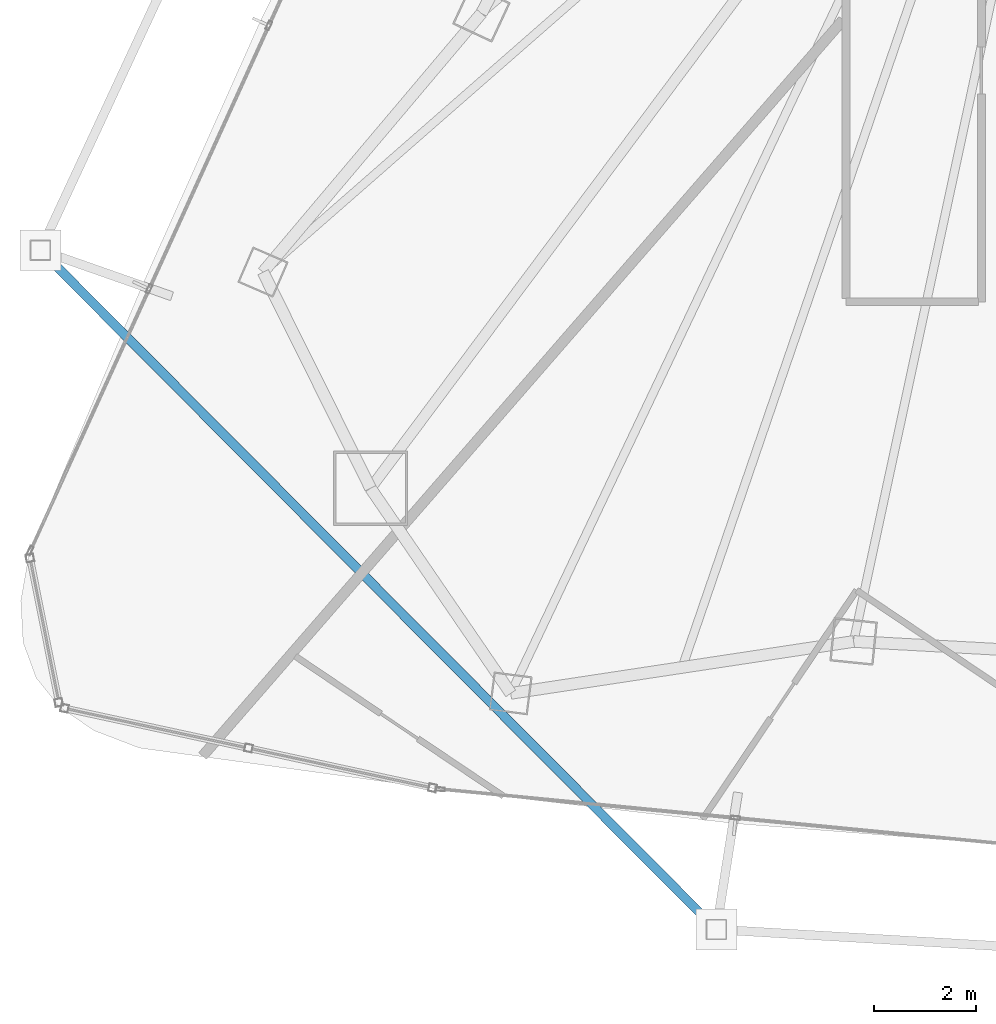
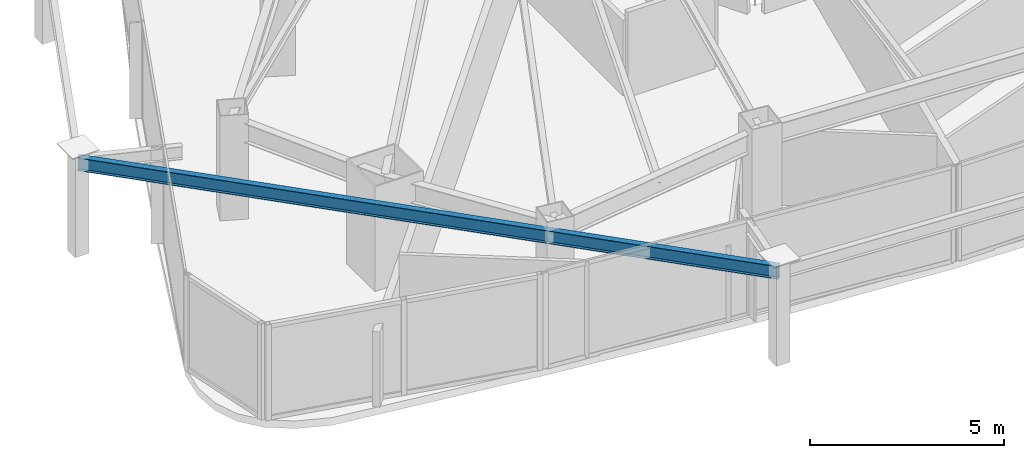
# One storey, part 3 of 30: 1 beam.
"""IFC4 building model written with IfcOpenShell, lengths in metres."""

from ifc_helpers import new_model, si_unit, direction, frame, origin, origin_2d, place, context, subcontext, project, spatial, i_section, extrude, material, material_profile, profile_set, type_object, element, save


model = new_model("IFC4")

# Units and contexts
model_context = context("Model", 3, precision=1e-05, world=origin(), true_north=direction((0.0, 1.0)))
body_context = subcontext(model_context, "Body", "Model", "MODEL_VIEW")
ifc_project = project(units=[si_unit("LENGTHUNIT", "METRE"), si_unit("AREAUNIT", "SQUARE_METRE"), si_unit("VOLUMEUNIT", "CUBIC_METRE"), si_unit("PLANEANGLEUNIT", "RADIAN"), si_unit("MASSUNIT", "GRAM", prefix="KILO")], contexts=[model_context])

# Site, building, storey
site_placement = place(None, origin())
site = spatial("IfcSite", under=ifc_project, at=site_placement, CompositionType="ELEMENT")
building_placement = place(site_placement, origin())
building = spatial("IfcBuilding", under=site, at=building_placement, Name="Orvanel Arch Residences", CompositionType="ELEMENT")
storey_placement = place(building_placement, frame((0.0, 0.0, 143.0)))
storey = spatial("IfcBuildingStorey", under=building, at=storey_placement, Name="L40", CompositionType="ELEMENT", Elevation=143.0)

# Beam
ifc_material = material(Name="Structural steel AS/NZS 3679.1 Grade 300 (300 MPa)", Category="steel")
ifc_material_profile = material_profile(ifc_material, i_section(OverallWidth=0.177978515625, OverallDepth=0.406005859375, WebThickness=0.0078125, FlangeThickness=0.0126953125, at=origin_2d()), Name="410UB59.7")
ifc_profile_set = profile_set([ifc_material_profile], Name="Structural steel AS/NZS 3679.1 Grade 300 (300 MPa)")
beam_type = type_object("IfcBeamType", Name="OB-410UB-EXT", PredefinedType="SPANDREL", material=ifc_profile_set)
beam_placement = place(storey_placement, frame((7.740966796875, 15.009033203125, 2.81689453125), z_axis=(0.705346503613, -0.708862687579, 0.0), x_axis=(0.708862687579, 0.705346503613, 0.0)))
element("IfcBeam", 1, at=beam_placement, inside=storey, type_object=beam_type, Name="L40 Outer Perimeter Floor Ring Beam 04", PredefinedType="SPANDREL", context=body_context, shape_type="SweptSolid", body=[
    extrude(i_section(OverallWidth=0.177978515625, OverallDepth=0.406005859375, WebThickness=0.0078125, FlangeThickness=0.0126953125, at=origin_2d()), origin(), (0.0, 0.0, 1.0), 18.7470703125),
])

save(model, "model.ifc")
